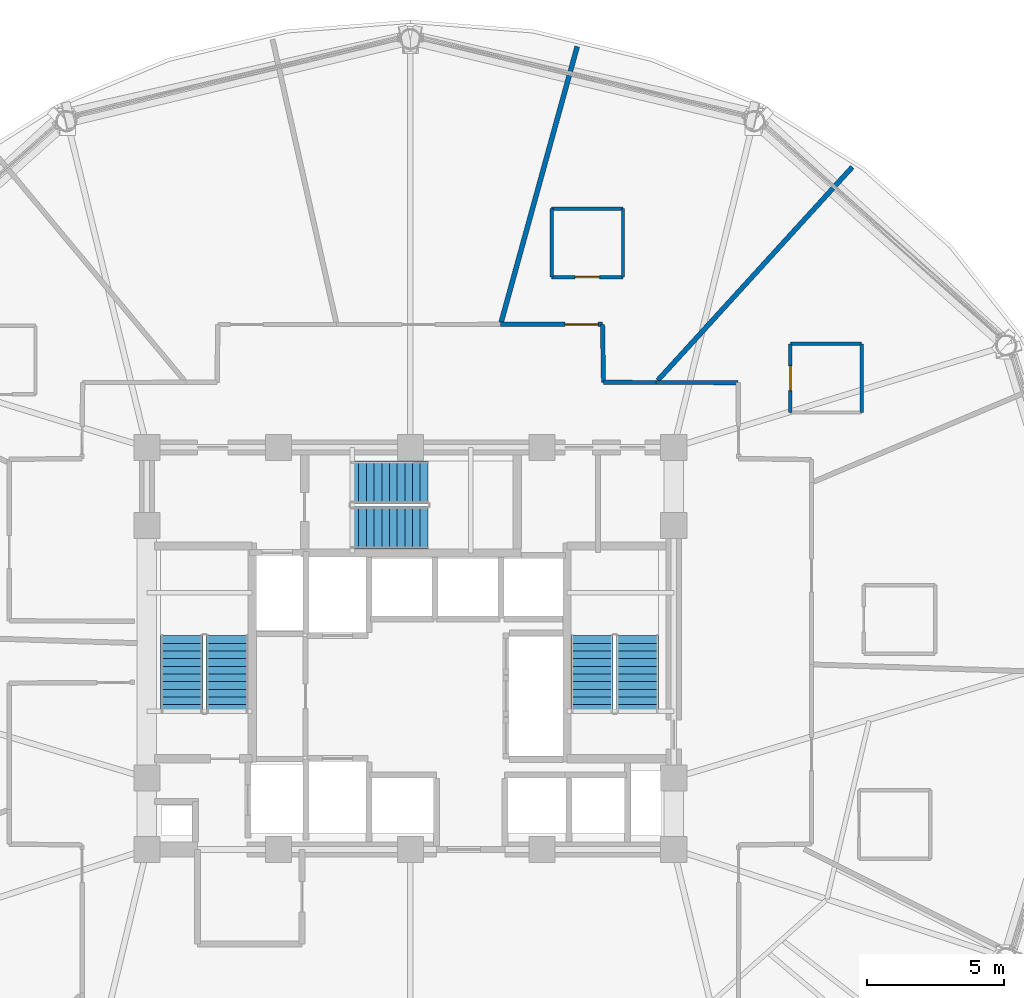
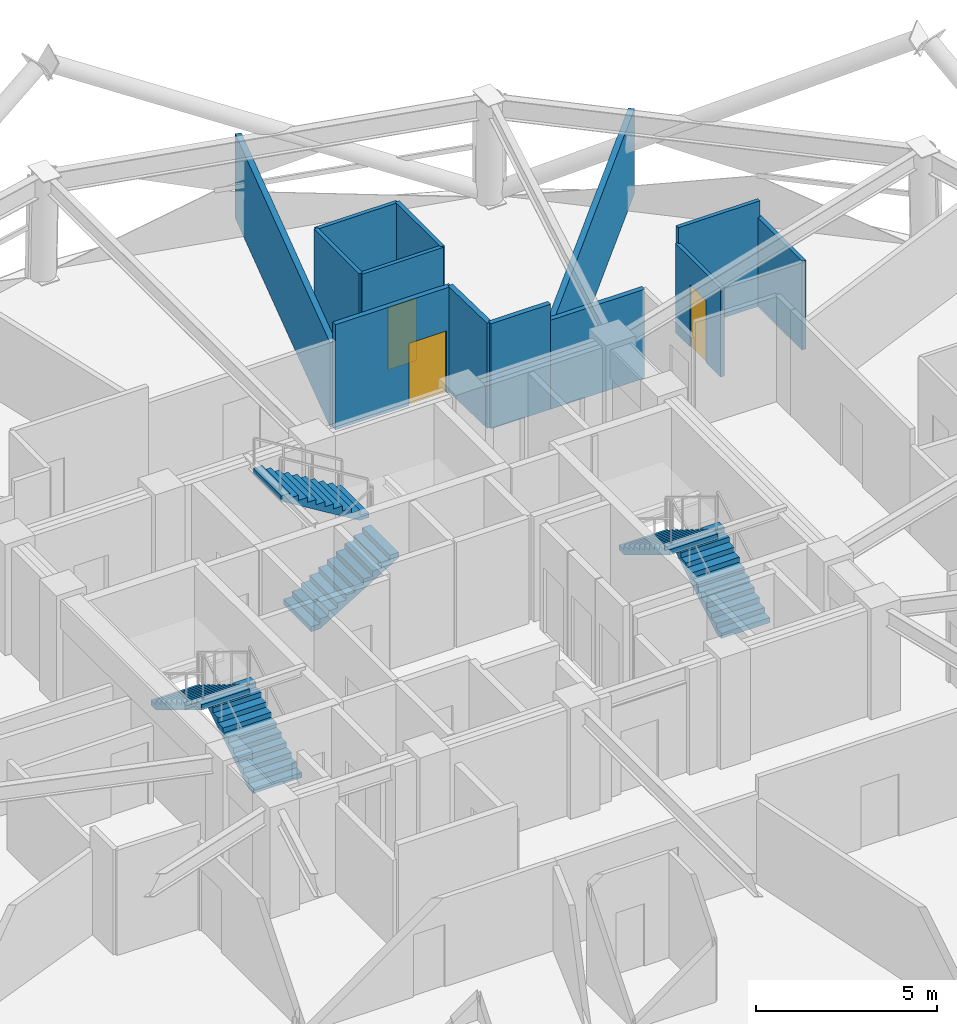
# One storey, part 11 of 15: 13 walls, 6 stair flights, 3 doors, 3 openings, 3 elements without a shape of their own.
"""IFC4 building model written with IfcOpenShell, lengths in metres."""

from ifc_helpers import new_model, si_unit, direction, frame, frame_2d, origin, place, context, subcontext, project, spatial, polyline, rectangle, outline, extrude, material, layer, layer_set, type_object, element, fill, aggregate, save


model = new_model("IFC4")

# Units and contexts
model_context = context("Model", 3, precision=1e-05, world=origin(), true_north=direction((0.0, 1.0)))
body_context = subcontext(model_context, "Body", "Model", "MODEL_VIEW")
ifc_project = project(units=[si_unit("LENGTHUNIT", "METRE"), si_unit("AREAUNIT", "SQUARE_METRE"), si_unit("VOLUMEUNIT", "CUBIC_METRE"), si_unit("PLANEANGLEUNIT", "RADIAN"), si_unit("MASSUNIT", "GRAM", prefix="KILO")], contexts=[model_context])

# Site, building, storey
site_placement = place(None, origin())
site = spatial("IfcSite", under=ifc_project, at=site_placement, CompositionType="ELEMENT")
building_placement = place(site_placement, origin())
building = spatial("IfcBuilding", under=site, at=building_placement, Name="Vantalir Tower", CompositionType="ELEMENT")
storey_placement = place(building_placement, frame((0.0, 0.0, 134.699951171875)))
storey = spatial("IfcBuildingStorey", under=building, at=storey_placement, Name="L33", CompositionType="ELEMENT", Elevation=134.699951171875)

# Wall
ifc_material_1 = material(Name="Moisture-resistant en-suite partition", Category="gypsum")
ifc_layer_1 = layer(ifc_material_1, 0.125)
ifc_layer_set_1 = layer_set([ifc_layer_1], Name="Moisture-resistant en-suite partition")
wall_type_1 = type_object("IfcWallType", Name="WL-BATH-125", PredefinedType="PARTITIONING", material=ifc_layer_set_1)
wall_1_placement = place(storey_placement, frame((45.347900390625, 36.218994140625, 0.0), z_axis=(0.0, 0.0, 1.0), x_axis=(1.0, 0.0, 0.0)))
element("IfcWall", 1, at=wall_1_placement, inside=storey, type_object=wall_type_1, Name="L33 En-suite 01 North Wall", PredefinedType="PARTITIONING", context=body_context, shape_type="SweptSolid", body=[
    extrude(rectangle(XDim=2.60009765625, YDim=0.125, at=frame_2d((1.300048828125, 0.0))), origin(), (0.0, 0.0, 1.0), 3.550048828125),
])

# Wall, opening, door
wall_2_placement = place(storey_placement, frame((45.347900390625, 33.718994140625, 0.0), z_axis=(0.0, 0.0, 1.0), x_axis=(0.0, 1.0, 0.0)))
wall_2 = element("IfcWall", 2, at=wall_2_placement, inside=storey, type_object=wall_type_1, Name="L33 En-suite 01 West Wall", PredefinedType="PARTITIONING", context=body_context, shape_type="SweptSolid", body=[
    extrude(rectangle(XDim=2.5, YDim=0.125, at=frame_2d((1.25, 0.0))), origin(), (0.0, 0.0, 1.0), 3.006103515625),
])
opening_1_placement = place(wall_2_placement, frame((0.800048828125, 0.0, 0.0)))
opening_1 = element("IfcOpeningElement", 3, at=opening_1_placement, cuts=wall_2, Name="Opening D-WC", PredefinedType="OPENING", context=body_context, shape_type="SweptSolid", body=[
    extrude(rectangle(XDim=0.89990234375, YDim=2.10009765625, at=frame_2d((0.449951171875, 1.050048828125))), frame((0.0, 0.072509765625, 0.0), z_axis=(0.0, -1.0, 0.0), x_axis=(1.0, 0.0, 0.0)), (0.0, 0.0, 1.0), 0.14501953125),
])
ifc_material_2 = material(Name="Moisture-resistant hardwood door", Category="wood")
door_type_1 = type_object("IfcDoorType", Name="DR-ENSUITE-900", OperationType="NOTDEFINED", PredefinedType="DOOR", material=ifc_material_2)
door_1_placement = place(opening_1_placement, frame((0.89990234375, 0.0, 0.0), z_axis=(0.0, 0.0, 1.0), x_axis=(-1.0, 0.0, 0.0)))
door_1 = element("IfcDoor", 4, at=door_1_placement, inside=storey, type_object=door_type_1, Name="L33 En-suite 01 Door", OperationType="SINGLE_SWING_LEFT", OverallHeight=2.10009765625, OverallWidth=0.89990234375, PredefinedType="DOOR", context=body_context, shape_type="SweptSolid", body=[
    extrude(rectangle(XDim=0.89990234375, YDim=2.10009765625, at=frame_2d((0.449951171875, 1.050048828125))), frame((0.0, 0.02490234375, 0.0), z_axis=(0.0, -1.0, 0.0), x_axis=(1.0, 0.0, 0.0)), (0.0, 0.0, 1.0), 0.050048828125),
])
fill(opening_1, door_1)

# Wall
wall_3_placement = place(storey_placement, frame((47.947998046875, 33.718994140625, 0.0), z_axis=(0.0, 0.0, 1.0), x_axis=(0.0, 1.0, 0.0)))
element("IfcWall", 5, at=wall_3_placement, inside=storey, type_object=wall_type_1, Name="L33 En-suite 01 East Wall", PredefinedType="PARTITIONING", context=body_context, shape_type="SweptSolid", body=[
    extrude(rectangle(XDim=2.5, YDim=0.125, at=frame_2d((1.25, 0.0))), origin(), (0.0, 0.0, 1.0), 3.006103515625),
])

# Wall, opening, door
wall_4_placement = place(storey_placement, frame((36.64990234375, 38.64990234375, 0.0), z_axis=(0.0, 0.0, 1.0), x_axis=(1.0, 0.0, 0.0)))
wall_4 = element("IfcWall", 6, at=wall_4_placement, inside=storey, type_object=wall_type_1, Name="L33 En-suite 02 South Wall", PredefinedType="PARTITIONING", context=body_context, shape_type="SweptSolid", body=[
    extrude(rectangle(XDim=2.60009765625, YDim=0.125, at=frame_2d((1.300048828125, 0.0))), origin(), (0.0, 0.0, 1.0), 3.550048828125),
])
opening_2_placement = place(wall_4_placement, frame((0.85009765625, 0.0, 0.0)))
opening_2 = element("IfcOpeningElement", 7, at=opening_2_placement, cuts=wall_4, Name="Opening D-WC", PredefinedType="OPENING", context=body_context, shape_type="SweptSolid", body=[
    extrude(rectangle(XDim=0.89990234375, YDim=2.10009765625, at=frame_2d((0.449951171875, 1.050048828125))), frame((0.0, 0.072509765625, 0.0), z_axis=(0.0, -1.0, 0.0), x_axis=(1.0, 0.0, 0.0)), (0.0, 0.0, 1.0), 0.14501953125),
])
door_2_placement = place(opening_2_placement, origin())
door_2 = element("IfcDoor", 8, at=door_2_placement, inside=storey, type_object=door_type_1, Name="L33 En-suite 02 Door", OperationType="SINGLE_SWING_RIGHT", OverallHeight=2.10009765625, OverallWidth=0.89990234375, PredefinedType="DOOR", context=body_context, shape_type="SweptSolid", body=[
    extrude(rectangle(XDim=0.89990234375, YDim=2.10009765625, at=frame_2d((0.449951171875, 1.050048828125))), frame((0.0, 0.02490234375, 0.0), z_axis=(0.0, -1.0, 0.0), x_axis=(1.0, 0.0, 0.0)), (0.0, 0.0, 1.0), 0.050048828125),
])
fill(opening_2, door_2)

# Walls
wall_5_placement = place(storey_placement, frame((36.64990234375, 41.14990234375, 0.0), z_axis=(0.0, 0.0, 1.0), x_axis=(1.0, 0.0, 0.0)))
element("IfcWall", 9, at=wall_5_placement, inside=storey, type_object=wall_type_1, Name="L33 En-suite 02 North Wall", PredefinedType="PARTITIONING", context=body_context, shape_type="SweptSolid", body=[
    extrude(rectangle(XDim=2.60009765625, YDim=0.125, at=frame_2d((1.300048828125, 0.0))), origin(), (0.0, 0.0, 1.0), 3.550048828125),
])
for number, where, z_axis, x_axis, name in (
    (10, (36.64990234375, 38.64990234375, 0.0), (0.0, 0.0, 1.0), (0.0, 1.0, 0.0), "L33 En-suite 02 West Wall"),
    (11, (39.25, 38.64990234375, 0.0), (0.0, 0.0, 1.0), (0.0, 1.0, 0.0), "L33 En-suite 02 East Wall"),
):
    element("IfcWall", number, at=place(storey_placement, frame(where, z_axis=z_axis, x_axis=x_axis)), inside=storey, type_object=wall_type_1, Name=name, PredefinedType="PARTITIONING", context=body_context, shape_type="SweptSolid", body=[
        extrude(rectangle(XDim=2.5, YDim=0.125, at=frame_2d((1.25, 0.0))), origin(), (0.0, 0.0, 1.0), 3.550048828125),
    ])

# Wall, opening, door
ifc_material_3 = material(Name="Fire-rated hotel corridor acoustic partition", Category="gypsum")
ifc_layer_2 = layer(ifc_material_3, 0.159912109375)
ifc_layer_set_2 = layer_set([ifc_layer_2], Name="Fire-rated hotel corridor acoustic partition")
wall_type_2 = type_object("IfcWallType", Name="WL-CORR-160", PredefinedType="PARTITIONING", material=ifc_layer_set_2)
wall_6_placement = place(storey_placement, frame((34.7890625, 36.927001953125, 0.0), z_axis=(0.0, 0.0, 1.0), x_axis=(1.0, 0.0, 0.0)))
wall_6 = element("IfcWall", 12, at=wall_6_placement, inside=storey, type_object=wall_type_2, Name="L33 Corridor Partition 10", PredefinedType="PARTITIONING", context=body_context, shape_type="SweptSolid", body=[
    extrude(rectangle(XDim=3.71484375, YDim=0.159912109375, at=frame_2d((1.857421875, 0.0))), origin(), (0.0, 0.0, 1.0), 3.550048828125),
])
opening_3_placement = place(wall_6_placement, frame((2.35498046875, 0.0, 0.0)))
opening_3 = element("IfcOpeningElement", 13, at=opening_3_placement, cuts=wall_6, Name="Opening D-STE", PredefinedType="OPENING", context=body_context, shape_type="SweptSolid", body=[
    extrude(rectangle(XDim=1.199951171875, YDim=2.10009765625, at=frame_2d((0.60009765625, 1.050048828125))), frame((0.0, 0.08984375, 0.0), z_axis=(0.0, -1.0, 0.0), x_axis=(1.0, 0.0, 0.0)), (0.0, 0.0, 1.0), 0.179931640625),
])
ifc_material_4 = material(Name="Solid-core teak veneer suite entrance door", Category="wood")
door_type_2 = type_object("IfcDoorType", Name="DR-SUITE-ENTRY-1200", OperationType="NOTDEFINED", PredefinedType="DOOR", material=ifc_material_4)
door_3_placement = place(opening_3_placement, origin())
door_3 = element("IfcDoor", 14, at=door_3_placement, inside=storey, type_object=door_type_2, Name="L33 Corner Panorama Hotel Suite 02 Door", OperationType="SINGLE_SWING_LEFT", OverallHeight=2.10009765625, OverallWidth=1.199951171875, PredefinedType="DOOR", context=body_context, shape_type="SweptSolid", body=[
    extrude(rectangle(XDim=1.199951171875, YDim=2.10009765625, at=frame_2d((0.60009765625, 1.050048828125))), frame((0.0, 0.02490234375, 0.0), z_axis=(0.0, -1.0, 0.0), x_axis=(1.0, 0.0, 0.0)), (0.0, 0.0, 1.0), 0.050048828125),
])
fill(opening_3, door_3)

# Walls
wall_7_placement = place(storey_placement, frame((38.50390625, 36.927001953125, 0.0), z_axis=(0.0, 0.0, 1.0), x_axis=(0.017105345803, -0.99985369287, 0.0)))
element("IfcWall", 15, at=wall_7_placement, inside=storey, type_object=wall_type_2, Name="L33 Corridor Partition 11", PredefinedType="PARTITIONING", context=body_context, shape_type="SweptSolid", body=[
    extrude(rectangle(XDim=2.1123046875, YDim=0.159912109375, at=frame_2d((1.05615234375, 0.0))), origin(), (0.0, 0.0, 1.0), 3.550048828125),
])
wall_8_placement = place(storey_placement, frame((38.5400390625, 34.81494140625, 0.0), z_axis=(0.0, 0.0, 1.0), x_axis=(0.999998819901, -0.001536293156, 0.0)))
element("IfcWall", 16, at=wall_8_placement, inside=storey, type_object=wall_type_2, Name="L33 Corridor Partition 12", PredefinedType="PARTITIONING", context=body_context, shape_type="SweptSolid", body=[
    extrude(rectangle(XDim=1.906982421875, YDim=0.159912109375, at=frame_2d((0.95361328125, 0.0))), origin(), (0.0, 0.0, 1.0), 3.550048828125),
])
wall_9_placement = place(storey_placement, frame((40.447021484375, 34.81201171875, 0.0), z_axis=(0.0, 0.0, 1.0), x_axis=(0.999999152291, -0.00130208223, 0.0)))
element("IfcWall", 17, at=wall_9_placement, inside=storey, type_object=wall_type_2, Name="L33 Corridor Partition 13", PredefinedType="PARTITIONING", context=body_context, shape_type="SweptSolid", body=[
    extrude(rectangle(XDim=3.0, YDim=0.159912109375, at=frame_2d((1.5, 0.0))), origin(), (0.0, 0.0, 1.0), 3.006103515625),
])
ifc_material_5 = material(Name="Twin-stud acoustic fire-rated gypsum partition", Category="gypsum")
ifc_layer_3 = layer(ifc_material_5, 0.179931640625)
ifc_layer_set_3 = layer_set([ifc_layer_3], Name="Twin-stud acoustic fire-rated gypsum partition")
wall_type_3 = type_object("IfcWallType", Name="WL-GUEST-180", PredefinedType="PARTITIONING", material=ifc_layer_set_3)
wall_10_placement = place(storey_placement, frame((40.51806640625, 34.889892578125, 0.0), z_axis=(0.0, 0.0, 1.0), x_axis=(0.673776979514, 0.738934761584, 0.0)))
element("IfcWall", 18, at=wall_10_placement, inside=storey, type_object=wall_type_3, Name="L33 Radial Suite Partition 02", PredefinedType="PARTITIONING", context=body_context, shape_type="SweptSolid", body=[
    extrude(rectangle(XDim=10.513916015625, YDim=0.179931640625, at=frame_2d((5.2568359375, 0.0))), origin(), (0.0, 0.0, 1.0), 2.85205078125),
])
wall_11_placement = place(storey_placement, frame((34.81005859375, 37.0029296875, 0.0), z_axis=(0.0, 0.0, 1.0), x_axis=(0.265864467885, 0.964010417328, 0.0)))
element("IfcWall", 19, at=wall_11_placement, inside=storey, type_object=wall_type_3, Name="L33 Radial Suite Partition 03", PredefinedType="PARTITIONING", context=body_context, shape_type="SweptSolid", body=[
    extrude(rectangle(XDim=10.42626953125, YDim=0.179931640625, at=frame_2d((5.213134765625, 0.0))), origin(), (0.0, 0.0, 1.0), 2.85205078125),
])

# Stair, stair flights
ifc_material_6 = material(Name="Concrete C40/50", Category="concrete")
stair_type = type_object("IfcStairType", Name="STR-CORE-1450", PredefinedType="HALF_TURN_STAIR", material=ifc_material_6)
stair_1_placement = place(storey_placement, origin())
stair_1 = element("IfcStair", 20, at=stair_1_placement, inside=storey, type_object=stair_type, Name="L33 Core Exit Stair 1", PredefinedType="HALF_TURN_STAIR")
stair_flight_type = type_object("IfcStairFlightType", Name="FLT-CORE-1450", PredefinedType="STRAIGHT", material=ifc_material_6)
stair_flight_1_placement = place(storey_placement, frame((24.830078125, 22.7900390625, 0.0), z_axis=(0.0, 0.0, 1.0), x_axis=(0.0, 1.0, 0.0)))
stair_flight_1 = element("IfcStairFlight", 21, at=stair_flight_1_placement, type_object=stair_flight_type, Name="ST1 flight 1", NumberOfRisers=11, NumberOfTreads=10, PredefinedType="STRAIGHT", RiserHeight=0.170454545, TreadLength=0.28, context=body_context, shape_type="SweptSolid", body=[
    extrude(outline(polyline([(0.0, 0.0), (0.0, 0.17041015625), (0.280029296875, 0.17041015625), (0.280029296875, 0.3408203125), (0.56005859375, 0.3408203125), (0.56005859375, 0.511474609375), (0.840087890625, 0.511474609375), (0.840087890625, 0.681884765625), (1.1201171875, 0.681884765625), (1.1201171875, 0.852294921875), (1.39990234375, 0.852294921875), (1.39990234375, 1.022705078125), (1.679931640625, 1.022705078125), (1.679931640625, 1.193115234375), (1.9599609375, 1.193115234375), (1.9599609375, 1.363525390625), (2.239990234375, 1.363525390625), (2.239990234375, 1.5341796875), (2.52001953125, 1.5341796875), (2.52001953125, 1.70458984375), (2.800048828125, 1.70458984375), (2.800048828125, 1.875), (2.800048828125, 1.529052734375), (0.288330078125, 0.0), (0.0, 0.0)])), frame((0.0, 0.77001953125, 0.0), z_axis=(0.0, -1.0, 0.0), x_axis=(1.0, 0.0, 0.0)), (0.0, 0.0, 1.0), 1.5400390625),
])
stair_flight_2_placement = place(storey_placement, frame((23.169921875, 25.590087890625, 1.875), z_axis=(0.0, 0.0, 1.0), x_axis=(0.0, -1.0, 0.0)))
stair_flight_2 = element("IfcStairFlight", 22, at=stair_flight_2_placement, type_object=stair_flight_type, Name="ST1 flight 2", NumberOfRisers=11, NumberOfTreads=10, PredefinedType="STRAIGHT", RiserHeight=0.170454545, TreadLength=0.28, context=body_context, shape_type="SweptSolid", body=[
    extrude(outline(polyline([(0.0, 0.0), (0.0, 0.17041015625), (0.280029296875, 0.17041015625), (0.280029296875, 0.3408203125), (0.56005859375, 0.3408203125), (0.56005859375, 0.511474609375), (0.840087890625, 0.511474609375), (0.840087890625, 0.681884765625), (1.1201171875, 0.681884765625), (1.1201171875, 0.852294921875), (1.39990234375, 0.852294921875), (1.39990234375, 1.022705078125), (1.679931640625, 1.022705078125), (1.679931640625, 1.193115234375), (1.9599609375, 1.193115234375), (1.9599609375, 1.363525390625), (2.239990234375, 1.363525390625), (2.239990234375, 1.5341796875), (2.52001953125, 1.5341796875), (2.52001953125, 1.70458984375), (2.800048828125, 1.70458984375), (2.800048828125, 1.875), (2.800048828125, 1.529052734375), (0.288330078125, 0.0), (0.0, 0.0)])), frame((0.0, 0.77001953125, 0.0), z_axis=(0.0, -1.0, 0.0), x_axis=(1.0, 0.0, 0.0)), (0.0, 0.0, 1.0), 1.5400390625),
])
aggregate(stair_1, [stair_flight_1, stair_flight_2])

stair_2_placement = place(storey_placement, origin())
stair_2 = element("IfcStair", 23, at=stair_2_placement, inside=storey, type_object=stair_type, Name="L33 Core Exit Stair 2", PredefinedType="HALF_TURN_STAIR")
stair_flight_3_placement = place(storey_placement, frame((39.780029296875, 22.7900390625, 0.0), z_axis=(0.0, 0.0, 1.0), x_axis=(0.0, 1.0, 0.0)))
stair_flight_3 = element("IfcStairFlight", 24, at=stair_flight_3_placement, type_object=stair_flight_type, Name="ST2 flight 1", NumberOfRisers=11, NumberOfTreads=10, PredefinedType="STRAIGHT", RiserHeight=0.170454545, TreadLength=0.28, context=body_context, shape_type="SweptSolid", body=[
    extrude(outline(polyline([(0.0, 0.0), (0.0, 0.17041015625), (0.280029296875, 0.17041015625), (0.280029296875, 0.3408203125), (0.56005859375, 0.3408203125), (0.56005859375, 0.511474609375), (0.840087890625, 0.511474609375), (0.840087890625, 0.681884765625), (1.1201171875, 0.681884765625), (1.1201171875, 0.852294921875), (1.39990234375, 0.852294921875), (1.39990234375, 1.022705078125), (1.679931640625, 1.022705078125), (1.679931640625, 1.193115234375), (1.9599609375, 1.193115234375), (1.9599609375, 1.363525390625), (2.239990234375, 1.363525390625), (2.239990234375, 1.5341796875), (2.52001953125, 1.5341796875), (2.52001953125, 1.70458984375), (2.800048828125, 1.70458984375), (2.800048828125, 1.875), (2.800048828125, 1.529052734375), (0.288330078125, 0.0), (0.0, 0.0)])), frame((0.0, 0.77001953125, 0.0), z_axis=(0.0, -1.0, 0.0), x_axis=(1.0, 0.0, 0.0)), (0.0, 0.0, 1.0), 1.5400390625),
])
stair_flight_4_placement = place(storey_placement, frame((38.1201171875, 25.590087890625, 1.875), z_axis=(0.0, 0.0, 1.0), x_axis=(0.0, -1.0, 0.0)))
stair_flight_4 = element("IfcStairFlight", 25, at=stair_flight_4_placement, type_object=stair_flight_type, Name="ST2 flight 2", NumberOfRisers=11, NumberOfTreads=10, PredefinedType="STRAIGHT", RiserHeight=0.170454545, TreadLength=0.28, context=body_context, shape_type="SweptSolid", body=[
    extrude(outline(polyline([(0.0, 0.0), (0.0, 0.17041015625), (0.280029296875, 0.17041015625), (0.280029296875, 0.3408203125), (0.56005859375, 0.3408203125), (0.56005859375, 0.511474609375), (0.840087890625, 0.511474609375), (0.840087890625, 0.681884765625), (1.1201171875, 0.681884765625), (1.1201171875, 0.852294921875), (1.39990234375, 0.852294921875), (1.39990234375, 1.022705078125), (1.679931640625, 1.022705078125), (1.679931640625, 1.193115234375), (1.9599609375, 1.193115234375), (1.9599609375, 1.363525390625), (2.239990234375, 1.363525390625), (2.239990234375, 1.5341796875), (2.52001953125, 1.5341796875), (2.52001953125, 1.70458984375), (2.800048828125, 1.70458984375), (2.800048828125, 1.875), (2.800048828125, 1.529052734375), (0.288330078125, 0.0), (0.0, 0.0)])), frame((0.0, 0.77001953125, 0.0), z_axis=(0.0, -1.0, 0.0), x_axis=(1.0, 0.0, 0.0)), (0.0, 0.0, 1.0), 1.5400390625),
])
aggregate(stair_2, [stair_flight_3, stair_flight_4])

stair_3_placement = place(storey_placement, origin())
stair_3 = element("IfcStair", 26, at=stair_3_placement, inside=storey, type_object=stair_type, Name="L33 Core Exit Stair 3", PredefinedType="HALF_TURN_STAIR")
stair_flight_5_placement = place(storey_placement, frame((29.340087890625, 29.52001953125, 0.0), z_axis=(0.0, 0.0, 1.0), x_axis=(1.0, 0.0, 0.0)))
stair_flight_5 = element("IfcStairFlight", 27, at=stair_flight_5_placement, type_object=stair_flight_type, Name="ST3 flight 1", NumberOfRisers=11, NumberOfTreads=10, PredefinedType="STRAIGHT", RiserHeight=0.170454545, TreadLength=0.28, context=body_context, shape_type="SweptSolid", body=[
    extrude(outline(polyline([(0.0, 0.0), (0.0, 0.17041015625), (0.280029296875, 0.17041015625), (0.280029296875, 0.3408203125), (0.56005859375, 0.3408203125), (0.56005859375, 0.511474609375), (0.840087890625, 0.511474609375), (0.840087890625, 0.681884765625), (1.1201171875, 0.681884765625), (1.1201171875, 0.852294921875), (1.39990234375, 0.852294921875), (1.39990234375, 1.022705078125), (1.679931640625, 1.022705078125), (1.679931640625, 1.193115234375), (1.9599609375, 1.193115234375), (1.9599609375, 1.363525390625), (2.239990234375, 1.363525390625), (2.239990234375, 1.5341796875), (2.52001953125, 1.5341796875), (2.52001953125, 1.70458984375), (2.800048828125, 1.70458984375), (2.800048828125, 1.875), (2.800048828125, 1.529052734375), (0.288330078125, 0.0), (0.0, 0.0)])), frame((0.0, 0.77001953125, 0.0), z_axis=(0.0, -1.0, 0.0), x_axis=(1.0, 0.0, 0.0)), (0.0, 0.0, 1.0), 1.5400390625),
])
stair_flight_6_placement = place(storey_placement, frame((32.139892578125, 31.179931640625, 1.875), z_axis=(0.0, 0.0, 1.0), x_axis=(-1.0, 0.0, 0.0)))
stair_flight_6 = element("IfcStairFlight", 28, at=stair_flight_6_placement, type_object=stair_flight_type, Name="ST3 flight 2", NumberOfRisers=11, NumberOfTreads=10, PredefinedType="STRAIGHT", RiserHeight=0.170454545, TreadLength=0.28, context=body_context, shape_type="SweptSolid", body=[
    extrude(outline(polyline([(0.0, 0.0), (0.0, 0.17041015625), (0.280029296875, 0.17041015625), (0.280029296875, 0.3408203125), (0.56005859375, 0.3408203125), (0.56005859375, 0.511474609375), (0.840087890625, 0.511474609375), (0.840087890625, 0.681884765625), (1.1201171875, 0.681884765625), (1.1201171875, 0.852294921875), (1.39990234375, 0.852294921875), (1.39990234375, 1.022705078125), (1.679931640625, 1.022705078125), (1.679931640625, 1.193115234375), (1.9599609375, 1.193115234375), (1.9599609375, 1.363525390625), (2.239990234375, 1.363525390625), (2.239990234375, 1.5341796875), (2.52001953125, 1.5341796875), (2.52001953125, 1.70458984375), (2.800048828125, 1.70458984375), (2.800048828125, 1.875), (2.800048828125, 1.529052734375), (0.288330078125, 0.0), (0.0, 0.0)])), frame((0.0, 0.77001953125, 0.0), z_axis=(0.0, -1.0, 0.0), x_axis=(1.0, 0.0, 0.0)), (0.0, 0.0, 1.0), 1.5400390625),
])
aggregate(stair_3, [stair_flight_5, stair_flight_6])

save(model, "model.ifc")
